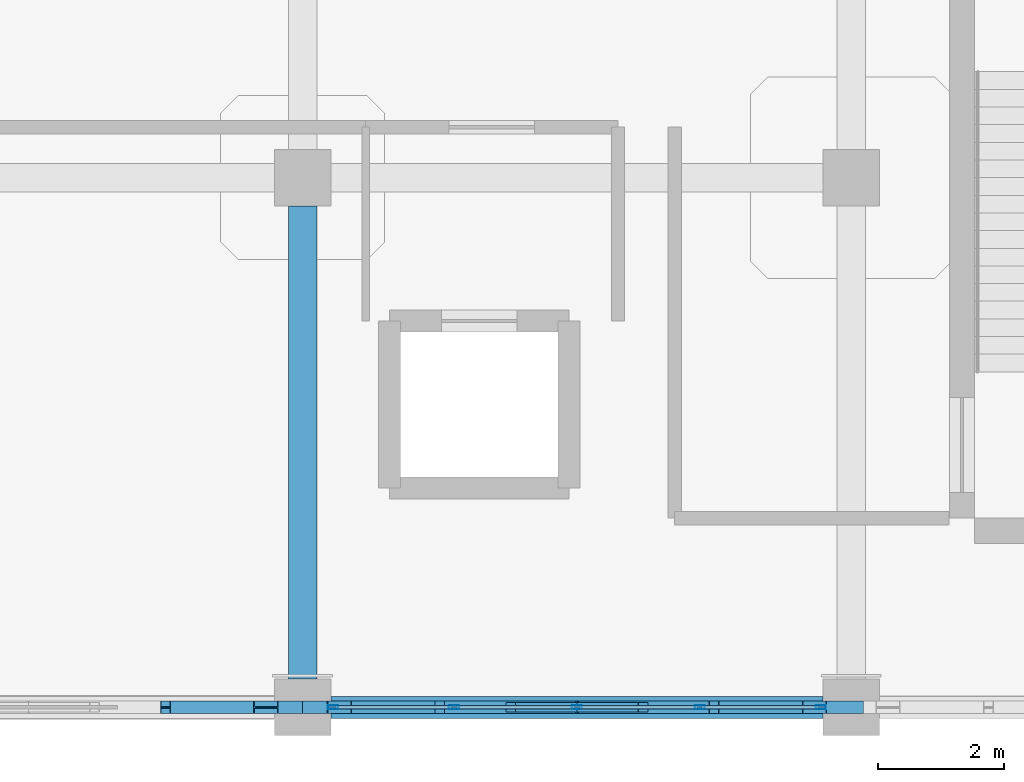
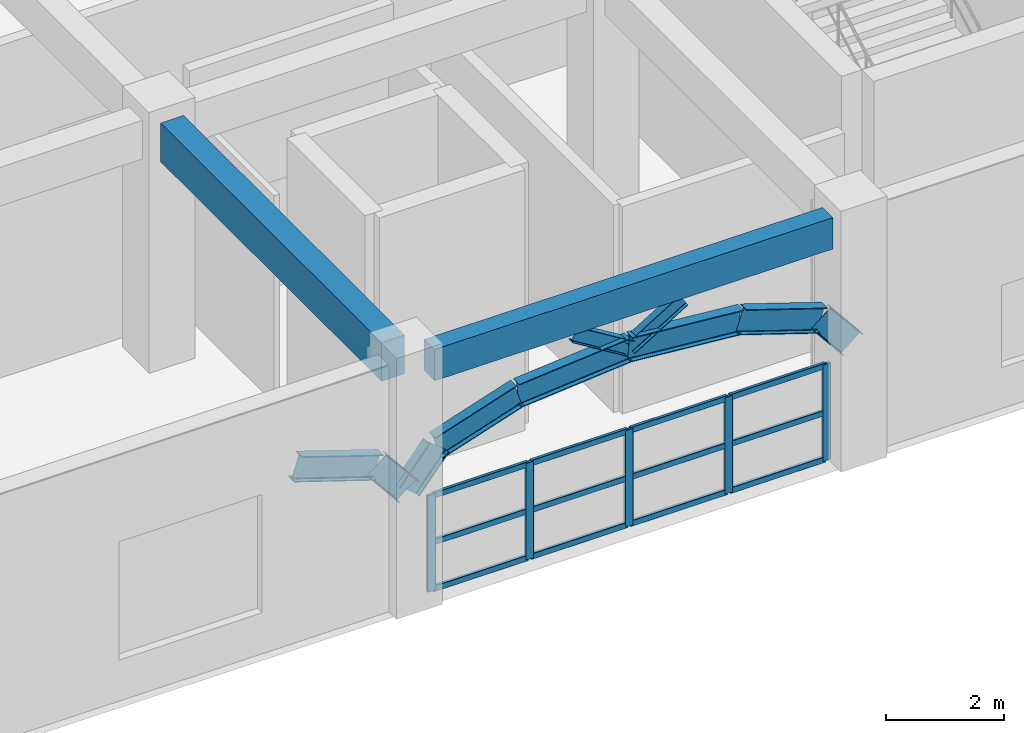
# One storey, part 51 of 114: 19 members, 10 beams, 1 element without a shape of its own.
"""IFC4 building model written with IfcOpenShell, lengths in metres."""

from ifc_helpers import new_model, si_unit, derived_unit, direction, frame, origin, origin_2d, place, context, subcontext, project, spatial, rectangle, hollow_rectangle, i_section, extrude, material, layer, layer_set, material_profile, profile_set, type_object, element, aggregate, save


model = new_model("IFC4")

# Units and contexts
model_context = context("Model", 3, precision=1e-05, world=origin(), true_north=direction((0.0, 1.0)))
body_context = subcontext(model_context, "Body", "Model", "MODEL_VIEW")
ifc_project = project(units=[si_unit("LENGTHUNIT", "METRE"), si_unit("AREAUNIT", "SQUARE_METRE"), si_unit("VOLUMEUNIT", "CUBIC_METRE"), si_unit("PLANEANGLEUNIT", "RADIAN"), si_unit("MASSUNIT", "GRAM", prefix="KILO"), derived_unit("THERMALTRANSMITTANCEUNIT", [(si_unit("MASSUNIT", "GRAM", prefix="KILO"), 1), (si_unit("TIMEUNIT", "SECOND"), -3), (si_unit("THERMODYNAMICTEMPERATUREUNIT", "KELVIN"), -1)])], contexts=[model_context])

# Site, building, storey
site_placement = place(None, origin())
site = spatial("IfcSite", under=ifc_project, at=site_placement, CompositionType="ELEMENT")
building_placement = place(site_placement, origin())
building = spatial("IfcBuilding", under=site, at=building_placement, Name="Qinzheling Arcade Emporium", CompositionType="ELEMENT")
storey_placement = place(building_placement, frame((0.0, 0.0, 6.0)))
storey = spatial("IfcBuildingStorey", under=building, at=storey_placement, Name="L02", CompositionType="ELEMENT", Elevation=6.0)

# Beams
ifc_material_1 = material(Name="Weathering steel Q355NH", Category="steel")
ifc_material_profile_1 = material_profile(ifc_material_1, i_section(OverallWidth=0.199951171875, OverallDepth=0.5, WebThickness=0.010009765625, FlangeThickness=0.01611328125, FilletRadius=0.01806640625, at=origin_2d()), Name="HN 500x200x10x16", Category="steel")
ifc_profile_set_1 = profile_set([ifc_material_profile_1], Name="Weathering steel Q355NH")
beam_type_1 = type_object("IfcBeamType", Name="Arcade End Arch Rib HN500 Q355NH", PredefinedType="BEAM", material=ifc_profile_set_1)
beam_1_placement = place(storey_placement, frame((128.324951171875, 0.0, 3.493896484375), z_axis=(0.950403395584, 0.0, -0.311019912004), x_axis=(0.0, 1.0, 0.0)))
element("IfcBeam", 1, at=beam_1_placement, inside=storey, type_object=beam_type_1, Name="Street Entrance Arch ARC-L02-S08-C05", PredefinedType="BEAM", context=body_context, shape_type="SweptSolid", body=[
    extrude(i_section(OverallWidth=0.199951171875, OverallDepth=0.5, WebThickness=0.010009765625, FlangeThickness=0.01611328125, FilletRadius=0.01806640625, at=origin_2d()), origin(), (0.0, 0.0, 1.0), 1.675048828125),
])
for number, where, z_axis, x_axis, name in (
    (2, (129.9169921875, 0.0, 2.972900390625), (0.633064539161, 0.0, -0.774099017734), (0.0, 1.0, 0.0), "Street Entrance Arch ARC-L02-S08-C06"),
    (3, (130.5, 0.0, 2.260009765625), (0.633064539161, 0.0, 0.774099017734), (0.0, 1.0, 0.0), "Street Entrance Arch ARC-L02-S09-C01"),
):
    element("IfcBeam", number, at=place(storey_placement, frame(where, z_axis=z_axis, x_axis=x_axis)), inside=storey, type_object=beam_type_1, Name=name, PredefinedType="BEAM", context=body_context, shape_type="SweptSolid", body=[
        extrude(i_section(OverallWidth=0.199951171875, OverallDepth=0.5, WebThickness=0.010009765625, FlangeThickness=0.01611328125, FilletRadius=0.01806640625, at=origin_2d()), origin(), (0.0, 0.0, 1.0), 0.9208984375),
    ])
beam_2_placement = place(storey_placement, frame((131.0830078125, 0.0, 2.972900390625), z_axis=(0.950403395584, 0.0, 0.311019912004), x_axis=(0.0, 1.0, 0.0)))
element("IfcBeam", 4, at=beam_2_placement, inside=storey, type_object=beam_type_1, Name="Street Entrance Arch ARC-L02-S09-C02", PredefinedType="BEAM", context=body_context, shape_type="SweptSolid", body=[
    extrude(i_section(OverallWidth=0.199951171875, OverallDepth=0.5, WebThickness=0.010009765625, FlangeThickness=0.01611328125, FilletRadius=0.01806640625, at=origin_2d()), origin(), (0.0, 0.0, 1.0), 1.675048828125),
])
beam_3_placement = place(storey_placement, frame((132.675048828125, 0.0, 3.493896484375), z_axis=(0.996160024341, 0.0, 0.087551161641), x_axis=(0.0, 1.0, 0.0)))
element("IfcBeam", 5, at=beam_3_placement, inside=storey, type_object=beam_type_1, Name="Street Entrance Arch ARC-L02-S09-C03", PredefinedType="BEAM", context=body_context, shape_type="SweptSolid", body=[
    extrude(i_section(OverallWidth=0.199951171875, OverallDepth=0.5, WebThickness=0.010009765625, FlangeThickness=0.01611328125, FilletRadius=0.01806640625, at=origin_2d()), origin(), (0.0, 0.0, 1.0), 2.183349609375),
])
beam_4_placement = place(storey_placement, frame((134.85009765625, 0.0, 3.68505859375), z_axis=(0.996159167113, 0.0, -0.087560914667), x_axis=(0.0, 1.0, 0.0)))
element("IfcBeam", 6, at=beam_4_placement, inside=storey, type_object=beam_type_1, Name="Street Entrance Arch ARC-L02-S09-C04", PredefinedType="BEAM", context=body_context, shape_type="SweptSolid", body=[
    extrude(i_section(OverallWidth=0.199951171875, OverallDepth=0.5, WebThickness=0.010009765625, FlangeThickness=0.01611328125, FilletRadius=0.01806640625, at=origin_2d()), origin(), (0.0, 0.0, 1.0), 2.18310546875),
])
beam_5_placement = place(storey_placement, frame((137.02490234375, 0.0, 3.493896484375), z_axis=(0.950403395584, 0.0, -0.311019912004), x_axis=(0.0, 1.0, 0.0)))
element("IfcBeam", 7, at=beam_5_placement, inside=storey, type_object=beam_type_1, Name="Street Entrance Arch ARC-L02-S09-C05", PredefinedType="BEAM", context=body_context, shape_type="SweptSolid", body=[
    extrude(i_section(OverallWidth=0.199951171875, OverallDepth=0.5, WebThickness=0.010009765625, FlangeThickness=0.01611328125, FilletRadius=0.01806640625, at=origin_2d()), origin(), (0.0, 0.0, 1.0), 1.675048828125),
])
beam_6_placement = place(storey_placement, frame((138.616943359375, 0.0, 2.972900390625), z_axis=(0.633064539161, 0.0, -0.774099017734), x_axis=(0.0, 1.0, 0.0)))
element("IfcBeam", 8, at=beam_6_placement, inside=storey, type_object=beam_type_1, Name="Street Entrance Arch ARC-L02-S09-C06", PredefinedType="BEAM", context=body_context, shape_type="SweptSolid", body=[
    extrude(i_section(OverallWidth=0.199951171875, OverallDepth=0.5, WebThickness=0.010009765625, FlangeThickness=0.01611328125, FilletRadius=0.01806640625, at=origin_2d()), origin(), (0.0, 0.0, 1.0), 0.9208984375),
])

# Members
ifc_material_profile_2 = material_profile(ifc_material_1, i_section(OverallWidth=0.14990234375, OverallDepth=0.300048828125, WebThickness=0.006591796875, FlangeThickness=0.009033203125, FilletRadius=0.012939453125, at=origin_2d()), Name="HN 300x150x6.5x9", Category="steel")
ifc_profile_set_2 = profile_set([ifc_material_profile_2], Name="Weathering steel Q355NH")
member_type_1 = type_object("IfcMemberType", Name="Arcade Spandrel Web Chord HN300 Q355NH", PredefinedType="CHORD", material=ifc_profile_set_2)
member_1_placement = place(storey_placement, frame((134.85009765625, 0.0, 3.695068359375), z_axis=(-0.85393390348, 0.0, 0.520381483613), x_axis=(0.0, -1.0, 0.0)))
element("IfcMember", 9, at=member_1_placement, inside=storey, type_object=member_type_1, Name="Street Spandrel Web Chord ASW-L02-S09-W1", PredefinedType="CHORD", context=body_context, shape_type="SweptSolid", body=[
    extrude(i_section(OverallWidth=0.14990234375, OverallDepth=0.300048828125, WebThickness=0.006591796875, FlangeThickness=0.009033203125, FilletRadius=0.012939453125, at=origin_2d()), origin(), (0.0, 0.0, 1.0), 1.229736328125),
])
member_2_placement = place(storey_placement, frame((134.85009765625, 0.0, 3.695068359375), z_axis=(0.853880124948, 0.0, 0.520469722672), x_axis=(0.0, 1.0, 0.0)))
element("IfcMember", 10, at=member_2_placement, inside=storey, type_object=member_type_1, Name="Street Spandrel Web Chord ASW-L02-S09-W2", PredefinedType="CHORD", context=body_context, shape_type="SweptSolid", body=[
    extrude(i_section(OverallWidth=0.14990234375, OverallDepth=0.300048828125, WebThickness=0.006591796875, FlangeThickness=0.009033203125, FilletRadius=0.012939453125, at=origin_2d()), origin(), (0.0, 0.0, 1.0), 1.2294921875),
])

# Curtain wall, members
ifc_material_2 = material(Name="Anodised aluminium and solar-control double glazing", Category="aluminium")
ifc_layer = layer(ifc_material_2, 0.159912109375, Name="Anodised aluminium and solar-control double glazing", Category="aluminium")
ifc_layer_set = layer_set([ifc_layer], Name="Anodised aluminium and solar-control double glazing")
curtain_wall_type = type_object("IfcCurtainWallType", Name="Food Hall Loggia Curtain Wall", PredefinedType="NOTDEFINED", material=ifc_layer_set)
curtain_wall_placement = place(storey_placement, origin())
curtain_wall = element("IfcCurtainWall", 11, at=curtain_wall_placement, inside=storey, type_object=curtain_wall_type, Name="Curtain Wall CW-L02-058", PredefinedType="NOTDEFINED")
ifc_material_3 = material(Name="Anodised aluminium 6063-T6", Category="aluminium")
ifc_material_profile_3 = material_profile(ifc_material_3, hollow_rectangle(XDim=0.06005859375, YDim=0.159912109375, WallThickness=0.00390625, InnerFilletRadius=0.00390625, OuterFilletRadius=0.008056640625, at=origin_2d()), Name="RHS 160x60x4", Category="aluminium")
ifc_profile_set_3 = profile_set([ifc_material_profile_3], Name="Anodised aluminium 6063-T6")
member_type_2 = type_object("IfcMemberType", Name="Curtain Wall Mullion RHS160x60", PredefinedType="MULLION", material=ifc_profile_set_3)
member_3_placement = place(storey_placement, frame((138.718017578125, 0.0, 0.0), z_axis=(0.0, 0.0, 1.0), x_axis=(0.0, -1.0, 0.0)))
member_3 = element("IfcMember", 12, at=member_3_placement, type_object=member_type_2, Name="CW04 mullion 1", PredefinedType="MULLION", context=body_context, shape_type="SweptSolid", body=[
    extrude(hollow_rectangle(XDim=0.06005859375, YDim=0.159912109375, WallThickness=0.00390625, InnerFilletRadius=0.00390625, OuterFilletRadius=0.008056640625, at=origin_2d()), origin(), (0.0, 0.0, 1.0), 1.9951171875),
])
member_4_placement = place(storey_placement, frame((136.799072265625, 0.0, 0.0), z_axis=(0.0, 0.0, 1.0), x_axis=(0.0, -1.0, 0.0)))
member_4 = element("IfcMember", 13, at=member_4_placement, type_object=member_type_2, Name="CW04 mullion 2", PredefinedType="MULLION", context=body_context, shape_type="SweptSolid", body=[
    extrude(hollow_rectangle(XDim=0.06005859375, YDim=0.159912109375, WallThickness=0.00390625, InnerFilletRadius=0.00390625, OuterFilletRadius=0.008056640625, at=origin_2d()), origin(), (0.0, 0.0, 1.0), 1.9951171875),
])
member_5_placement = place(storey_placement, frame((134.85009765625, 0.0, 0.0), z_axis=(0.0, 0.0, 1.0), x_axis=(0.0, -1.0, 0.0)))
member_5 = element("IfcMember", 14, at=member_5_placement, type_object=member_type_2, Name="CW04 mullion 3", PredefinedType="MULLION", context=body_context, shape_type="SweptSolid", body=[
    extrude(hollow_rectangle(XDim=0.06005859375, YDim=0.159912109375, WallThickness=0.00390625, InnerFilletRadius=0.00390625, OuterFilletRadius=0.008056640625, at=origin_2d()), origin(), (0.0, 0.0, 1.0), 1.9951171875),
])
member_6_placement = place(storey_placement, frame((132.90087890625, 0.0, 0.0), z_axis=(0.0, 0.0, 1.0), x_axis=(0.0, -1.0, 0.0)))
member_6 = element("IfcMember", 15, at=member_6_placement, type_object=member_type_2, Name="CW04 mullion 4", PredefinedType="MULLION", context=body_context, shape_type="SweptSolid", body=[
    extrude(hollow_rectangle(XDim=0.06005859375, YDim=0.159912109375, WallThickness=0.00390625, InnerFilletRadius=0.00390625, OuterFilletRadius=0.008056640625, at=origin_2d()), origin(), (0.0, 0.0, 1.0), 1.9951171875),
])
member_7_placement = place(storey_placement, frame((130.98193359375, 0.0, 0.0), z_axis=(0.0, 0.0, 1.0), x_axis=(0.0, -1.0, 0.0)))
member_7 = element("IfcMember", 16, at=member_7_placement, type_object=member_type_2, Name="CW04 mullion 5", PredefinedType="MULLION", context=body_context, shape_type="SweptSolid", body=[
    extrude(hollow_rectangle(XDim=0.06005859375, YDim=0.159912109375, WallThickness=0.00390625, InnerFilletRadius=0.00390625, OuterFilletRadius=0.008056640625, at=origin_2d()), origin(), (0.0, 0.0, 1.0), 1.9951171875),
])
ifc_material_profile_4 = material_profile(ifc_material_3, hollow_rectangle(XDim=0.06005859375, YDim=0.1201171875, WallThickness=0.00390625, InnerFilletRadius=0.00390625, OuterFilletRadius=0.008056640625, at=origin_2d()), Name="RHS 120x60x4", Category="aluminium")
ifc_profile_set_4 = profile_set([ifc_material_profile_4], Name="Anodised aluminium 6063-T6")
member_type_3 = type_object("IfcMemberType", Name="Curtain Wall Transom RHS120x60", PredefinedType="USERDEFINED", material=ifc_profile_set_4)
member_8_placement = place(storey_placement, frame((138.68798828125, 0.0, 0.030029296875), z_axis=(-1.0, 0.0, 0.0), x_axis=(0.0, -1.0, 0.0)))
member_8 = element("IfcMember", 17, at=member_8_placement, type_object=member_type_3, Name="CW04 transom 1.1", ObjectType="TRANSOM", PredefinedType="USERDEFINED", context=body_context, shape_type="SweptSolid", body=[
    extrude(hollow_rectangle(XDim=0.06005859375, YDim=0.1201171875, WallThickness=0.00390625, InnerFilletRadius=0.00390625, OuterFilletRadius=0.008056640625, at=origin_2d()), origin(), (0.0, 0.0, 1.0), 1.85888671875),
])
member_9_placement = place(storey_placement, frame((138.68798828125, 0.0, 0.998046875), z_axis=(-1.0, 0.0, 0.0), x_axis=(0.0, -1.0, 0.0)))
member_9 = element("IfcMember", 18, at=member_9_placement, type_object=member_type_3, Name="CW04 transom 1.2", ObjectType="TRANSOM", PredefinedType="USERDEFINED", context=body_context, shape_type="SweptSolid", body=[
    extrude(hollow_rectangle(XDim=0.06005859375, YDim=0.1201171875, WallThickness=0.00390625, InnerFilletRadius=0.00390625, OuterFilletRadius=0.008056640625, at=origin_2d()), origin(), (0.0, 0.0, 1.0), 1.85888671875),
])
member_10_placement = place(storey_placement, frame((138.68798828125, 0.0, 1.965087890625), z_axis=(-1.0, 0.0, 0.0), x_axis=(0.0, -1.0, 0.0)))
member_10 = element("IfcMember", 19, at=member_10_placement, type_object=member_type_3, Name="CW04 transom 1.3", ObjectType="TRANSOM", PredefinedType="USERDEFINED", context=body_context, shape_type="SweptSolid", body=[
    extrude(hollow_rectangle(XDim=0.06005859375, YDim=0.1201171875, WallThickness=0.00390625, InnerFilletRadius=0.00390625, OuterFilletRadius=0.008056640625, at=origin_2d()), origin(), (0.0, 0.0, 1.0), 1.85888671875),
])
member_11_placement = place(storey_placement, frame((136.76904296875, 0.0, 0.030029296875), z_axis=(-1.0, 0.0, 0.0), x_axis=(0.0, -1.0, 0.0)))
member_11 = element("IfcMember", 20, at=member_11_placement, type_object=member_type_3, Name="CW04 transom 2.1", ObjectType="TRANSOM", PredefinedType="USERDEFINED", context=body_context, shape_type="SweptSolid", body=[
    extrude(hollow_rectangle(XDim=0.06005859375, YDim=0.1201171875, WallThickness=0.00390625, InnerFilletRadius=0.00390625, OuterFilletRadius=0.008056640625, at=origin_2d()), origin(), (0.0, 0.0, 1.0), 1.88916015625),
])
member_12_placement = place(storey_placement, frame((136.76904296875, 0.0, 0.998046875), z_axis=(-1.0, 0.0, 0.0), x_axis=(0.0, -1.0, 0.0)))
member_12 = element("IfcMember", 21, at=member_12_placement, type_object=member_type_3, Name="CW04 transom 2.2", ObjectType="TRANSOM", PredefinedType="USERDEFINED", context=body_context, shape_type="SweptSolid", body=[
    extrude(hollow_rectangle(XDim=0.06005859375, YDim=0.1201171875, WallThickness=0.00390625, InnerFilletRadius=0.00390625, OuterFilletRadius=0.008056640625, at=origin_2d()), origin(), (0.0, 0.0, 1.0), 1.88916015625),
])
member_13_placement = place(storey_placement, frame((136.76904296875, 0.0, 1.965087890625), z_axis=(-1.0, 0.0, 0.0), x_axis=(0.0, -1.0, 0.0)))
member_13 = element("IfcMember", 22, at=member_13_placement, type_object=member_type_3, Name="CW04 transom 2.3", ObjectType="TRANSOM", PredefinedType="USERDEFINED", context=body_context, shape_type="SweptSolid", body=[
    extrude(hollow_rectangle(XDim=0.06005859375, YDim=0.1201171875, WallThickness=0.00390625, InnerFilletRadius=0.00390625, OuterFilletRadius=0.008056640625, at=origin_2d()), origin(), (0.0, 0.0, 1.0), 1.88916015625),
])
member_14_placement = place(storey_placement, frame((134.820068359375, 0.0, 0.030029296875), z_axis=(-1.0, 0.0, 0.0), x_axis=(0.0, -1.0, 0.0)))
member_14 = element("IfcMember", 23, at=member_14_placement, type_object=member_type_3, Name="CW04 transom 3.1", ObjectType="TRANSOM", PredefinedType="USERDEFINED", context=body_context, shape_type="SweptSolid", body=[
    extrude(hollow_rectangle(XDim=0.06005859375, YDim=0.1201171875, WallThickness=0.00390625, InnerFilletRadius=0.00390625, OuterFilletRadius=0.008056640625, at=origin_2d()), origin(), (0.0, 0.0, 1.0), 1.88916015625),
])
member_15_placement = place(storey_placement, frame((134.820068359375, 0.0, 0.998046875), z_axis=(-1.0, 0.0, 0.0), x_axis=(0.0, -1.0, 0.0)))
member_15 = element("IfcMember", 24, at=member_15_placement, type_object=member_type_3, Name="CW04 transom 3.2", ObjectType="TRANSOM", PredefinedType="USERDEFINED", context=body_context, shape_type="SweptSolid", body=[
    extrude(hollow_rectangle(XDim=0.06005859375, YDim=0.1201171875, WallThickness=0.00390625, InnerFilletRadius=0.00390625, OuterFilletRadius=0.008056640625, at=origin_2d()), origin(), (0.0, 0.0, 1.0), 1.88916015625),
])
member_16_placement = place(storey_placement, frame((134.820068359375, 0.0, 1.965087890625), z_axis=(-1.0, 0.0, 0.0), x_axis=(0.0, -1.0, 0.0)))
member_16 = element("IfcMember", 25, at=member_16_placement, type_object=member_type_3, Name="CW04 transom 3.3", ObjectType="TRANSOM", PredefinedType="USERDEFINED", context=body_context, shape_type="SweptSolid", body=[
    extrude(hollow_rectangle(XDim=0.06005859375, YDim=0.1201171875, WallThickness=0.00390625, InnerFilletRadius=0.00390625, OuterFilletRadius=0.008056640625, at=origin_2d()), origin(), (0.0, 0.0, 1.0), 1.88916015625),
])
member_17_placement = place(storey_placement, frame((132.87109375, 0.0, 0.030029296875), z_axis=(-1.0, 0.0, 0.0), x_axis=(0.0, -1.0, 0.0)))
member_17 = element("IfcMember", 26, at=member_17_placement, type_object=member_type_3, Name="CW04 transom 4.1", ObjectType="TRANSOM", PredefinedType="USERDEFINED", context=body_context, shape_type="SweptSolid", body=[
    extrude(hollow_rectangle(XDim=0.06005859375, YDim=0.1201171875, WallThickness=0.00390625, InnerFilletRadius=0.00390625, OuterFilletRadius=0.008056640625, at=origin_2d()), origin(), (0.0, 0.0, 1.0), 1.859130859375),
])
member_18_placement = place(storey_placement, frame((132.87109375, 0.0, 0.998046875), z_axis=(-1.0, 0.0, 0.0), x_axis=(0.0, -1.0, 0.0)))
member_18 = element("IfcMember", 27, at=member_18_placement, type_object=member_type_3, Name="CW04 transom 4.2", ObjectType="TRANSOM", PredefinedType="USERDEFINED", context=body_context, shape_type="SweptSolid", body=[
    extrude(hollow_rectangle(XDim=0.06005859375, YDim=0.1201171875, WallThickness=0.00390625, InnerFilletRadius=0.00390625, OuterFilletRadius=0.008056640625, at=origin_2d()), origin(), (0.0, 0.0, 1.0), 1.859130859375),
])
member_19_placement = place(storey_placement, frame((132.87109375, 0.0, 1.965087890625), z_axis=(-1.0, 0.0, 0.0), x_axis=(0.0, -1.0, 0.0)))
member_19 = element("IfcMember", 28, at=member_19_placement, type_object=member_type_3, Name="CW04 transom 4.3", ObjectType="TRANSOM", PredefinedType="USERDEFINED", context=body_context, shape_type="SweptSolid", body=[
    extrude(hollow_rectangle(XDim=0.06005859375, YDim=0.1201171875, WallThickness=0.00390625, InnerFilletRadius=0.00390625, OuterFilletRadius=0.008056640625, at=origin_2d()), origin(), (0.0, 0.0, 1.0), 1.859130859375),
])
aggregate(curtain_wall, [member_3, member_4, member_5, member_6, member_7, member_8, member_9, member_10, member_11, member_12, member_13, member_14, member_15, member_16, member_17, member_18, member_19])

# Beams
ifc_material_4 = material(Name="Concrete C40", Category="concrete")
ifc_material_profile_5 = material_profile(ifc_material_4, rectangle(XDim=0.449951171875, YDim=0.800048828125, at=origin_2d()), Name="RC 450x800", Category="concrete")
ifc_profile_set_5 = profile_set([ifc_material_profile_5], Name="Concrete C40")
beam_type_2 = type_object("IfcBeamType", Name="RC Primary Frame Beam 450x800 C40", PredefinedType="BEAM", material=ifc_profile_set_5)
beam_7_placement = place(storey_placement, frame((130.5, 0.449951171875, 4.705078125), z_axis=(0.0, 1.0, 0.0), x_axis=(-1.0, 0.0, 0.0)))
element("IfcBeam", 29, at=beam_7_placement, inside=storey, type_object=beam_type_2, Name="Beam BM-L02-Y-16-A", PredefinedType="BEAM", context=body_context, shape_type="SweptSolid", body=[
    extrude(rectangle(XDim=0.449951171875, YDim=0.800048828125, at=origin_2d()), origin(), (0.0, 0.0, 1.0), 7.5),
])
ifc_material_profile_6 = material_profile(ifc_material_4, rectangle(XDim=0.35009765625, YDim=0.64990234375, at=origin_2d()), Name="RC 350x650", Category="concrete")
ifc_profile_set_6 = profile_set([ifc_material_profile_6], Name="Concrete C40")
beam_type_3 = type_object("IfcBeamType", Name="RC Spandrel Edge Beam 350x650 C40", PredefinedType="SPANDREL", material=ifc_profile_set_6)
beam_8_placement = place(storey_placement, frame((130.949951171875, 0.0, 4.780029296875), z_axis=(1.0, 0.0, 0.0), x_axis=(0.0, 1.0, 0.0)))
element("IfcBeam", 30, at=beam_8_placement, inside=storey, type_object=beam_type_3, Name="Beam BM-L02-X-A-16", PredefinedType="SPANDREL", context=body_context, shape_type="SweptSolid", body=[
    extrude(rectangle(XDim=0.35009765625, YDim=0.64990234375, at=origin_2d()), origin(), (0.0, 0.0, 1.0), 7.800048828125),
])

save(model, "model.ifc")
